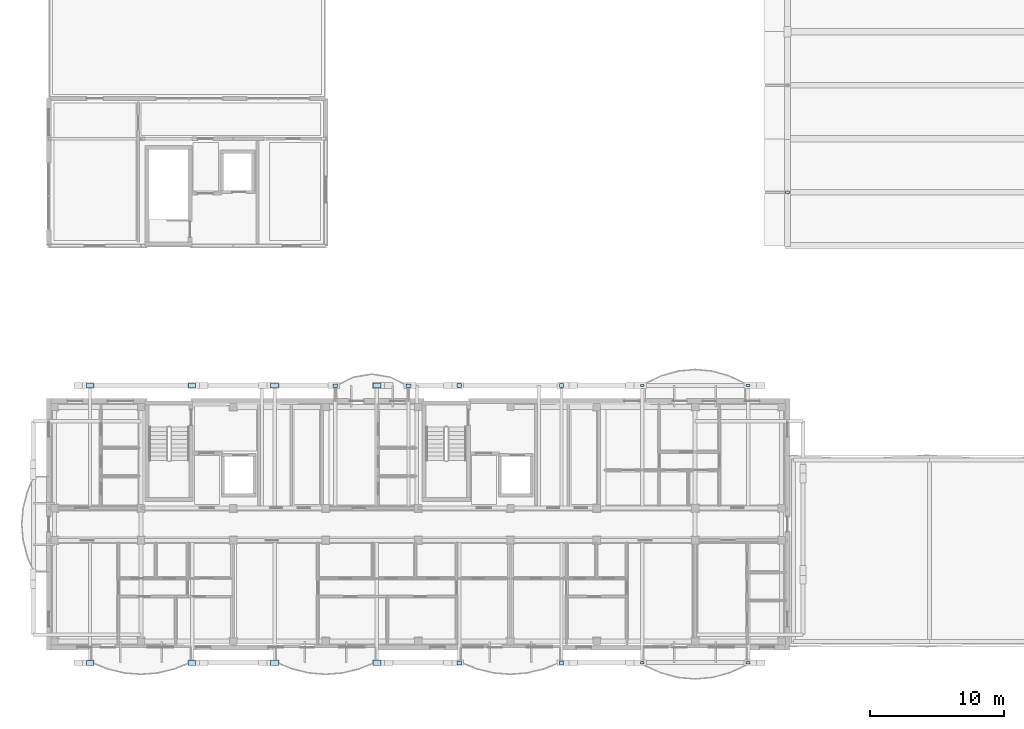
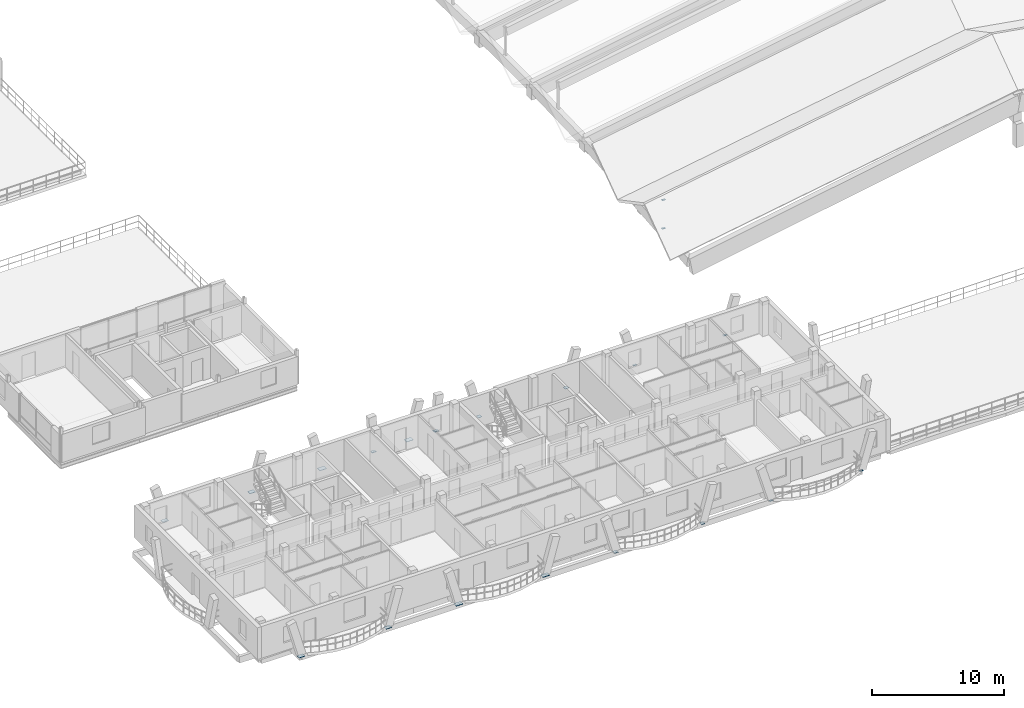
# One storey, part 56 of 109: 20 plates.
"""IFC4 building model written with IfcOpenShell, lengths in metres."""

from ifc_helpers import new_model, si_unit, direction, frame, origin, origin_2d, place, context, subcontext, project, spatial, rectangle, extrude, material, layer, layer_set, type_object, element, save


model = new_model("IFC4")

# Units and contexts
model_context = context("Model", 3, precision=1e-05, world=origin(), true_north=direction((0.0, 1.0)))
body_context = subcontext(model_context, "Body", "Model", "MODEL_VIEW")
ifc_project = project(units=[si_unit("LENGTHUNIT", "METRE"), si_unit("AREAUNIT", "SQUARE_METRE"), si_unit("VOLUMEUNIT", "CUBIC_METRE"), si_unit("PLANEANGLEUNIT", "RADIAN"), si_unit("MASSUNIT", "GRAM", prefix="KILO")], contexts=[model_context])

# Site, building, storey
site_placement = place(None, origin())
site = spatial("IfcSite", under=ifc_project, at=site_placement, CompositionType="ELEMENT")
building_placement = place(site_placement, origin())
building = spatial("IfcBuilding", under=site, at=building_placement, Name="Zavelmont Quarter", CompositionType="ELEMENT")
storey_placement = place(building_placement, frame((0.0, 0.0, 8.0)))
storey = spatial("IfcBuildingStorey", under=building, at=storey_placement, Name="L02", CompositionType="ELEMENT", Elevation=8.0)

# Plates
ifc_material = material(Name="Steel S355", Category="steel")
ifc_layer_1 = layer(ifc_material, 0.02001953125)
ifc_layer_set_1 = layer_set([ifc_layer_1], Name="Steel S355")
plate_type_1 = type_object("IfcPlateType", Name="NP01", PredefinedType="SHEET", material=ifc_layer_set_1)
for number, where, z_axis, x_axis, name in (
    (1, (44.341552734375, -1.162109375, -0.2099609375), (0.0, 0.0, 1.0), (1.0, 0.0, 0.0), "L02 steel connection plate NP01 at 7/A"),
    (2, (52.258544921875, -1.162109375, -0.2099609375), (0.0, 0.0, 1.0), (1.0, 0.0, 0.0), "L02 steel connection plate NP01 at 9/A"),
    (3, (44.341552734375, 19.56201171875, -0.2099609375), (0.0, 0.0, 1.0), (1.0, 0.0, 0.0), "L02 steel connection plate NP01 at 7/D"),
    (4, (52.258544921875, 19.56201171875, -0.2099609375), (0.0, 0.0, 1.0), (1.0, 0.0, 0.0), "L02 steel connection plate NP01 at 9/D"),
    (5, (55.199951171875, 34.0, -0.080078125), (0.0, 0.0, 1.0), (1.0, 0.0, 0.0), "L02 steel connection plate NP01 at 9/F"),
    (6, (55.199951171875, 34.0, 2.570068359375), (0.0, 0.0, 1.0), (1.0, 0.0, 0.0), "L02 steel connection plate NP01 at 9/F"),
):
    element("IfcPlate", number, at=place(storey_placement, frame(where, z_axis=z_axis, x_axis=x_axis)), inside=storey, type_object=plate_type_1, Name=name, PredefinedType="SHEET", context=body_context, shape_type="SweptSolid", body=[
        extrude(rectangle(XDim=0.280029296875, YDim=0.179931640625, at=origin_2d()), origin(), (0.0, 0.0, 1.0), 0.02001953125),
    ])
ifc_layer_2 = layer(ifc_material, 0.02392578125)
ifc_layer_set_2 = layer_set([ifc_layer_2], Name="Steel S355")
plate_type_2 = type_object("IfcPlateType", Name="NP02", PredefinedType="SHEET", material=ifc_layer_set_2)
for number, where, z_axis, x_axis, name in (
    (7, (21.4111328125, 19.56201171875, -0.2119140625), (0.0, 0.0, 1.0), (1.0, 0.0, 0.0), "L02 steel connection plate NP02 at 4/D"),
    (8, (26.888916015625, 19.56201171875, -0.2119140625), (0.0, 0.0, 1.0), (1.0, 0.0, 0.0), "L02 steel connection plate NP02 at 5/D"),
):
    element("IfcPlate", number, at=place(storey_placement, frame(where, z_axis=z_axis, x_axis=x_axis)), inside=storey, type_object=plate_type_2, Name=name, PredefinedType="SHEET", context=body_context, shape_type="SweptSolid", body=[
        extrude(rectangle(XDim=0.360107421875, YDim=0.260009765625, at=origin_2d()), origin(), (0.0, 0.0, 1.0), 0.02392578125),
    ])
ifc_layer_3 = layer(ifc_material, 0.028076171875)
ifc_layer_set_3 = layer_set([ifc_layer_3], Name="Steel S355")
plate_type_3 = type_object("IfcPlateType", Name="NP04", PredefinedType="SHEET", material=ifc_layer_set_3)
for number, where, z_axis, x_axis, name in (
    (9, (3.085693359375, -1.162109375, -0.2138671875), (0.0, 0.0, 1.0), (1.0, 0.0, 0.0), "L02 steel connection plate NP04 at 1/A"),
    (10, (10.714111328125, -1.162109375, -0.2138671875), (0.0, 0.0, 1.0), (1.0, 0.0, 0.0), "L02 steel connection plate NP04 at 3/A"),
    (11, (3.085693359375, 19.56201171875, -0.2138671875), (0.0, 0.0, 1.0), (1.0, 0.0, 0.0), "L02 steel connection plate NP04 at 1/D"),
    (12, (10.714111328125, 19.56201171875, -0.2138671875), (0.0, 0.0, 1.0), (1.0, 0.0, 0.0), "L02 steel connection plate NP04 at 3/D"),
):
    element("IfcPlate", number, at=place(storey_placement, frame(where, z_axis=z_axis, x_axis=x_axis)), inside=storey, type_object=plate_type_3, Name=name, PredefinedType="SHEET", context=body_context, shape_type="SweptSolid", body=[
        extrude(rectangle(XDim=0.52001953125, YDim=0.360107421875, at=origin_2d()), origin(), (0.0, 0.0, 1.0), 0.028076171875),
    ])
ifc_layer_4 = layer(ifc_material, 0.030029296875)
ifc_layer_set_4 = layer_set([ifc_layer_4], Name="Steel S355")
plate_type_4 = type_object("IfcPlateType", Name="NP05", PredefinedType="SHEET", material=ifc_layer_set_4)
for number, where, z_axis, x_axis, name in (
    (13, (16.8857421875, -1.162109375, -0.21484375), (0.0, 0.0, 1.0), (1.0, 0.0, 0.0), "L02 steel connection plate NP05 at 3/A"),
    (14, (24.51416015625, -1.162109375, -0.21484375), (0.0, 0.0, 1.0), (1.0, 0.0, 0.0), "L02 steel connection plate NP05 at 5/A"),
    (15, (16.8857421875, 19.56201171875, -0.21484375), (0.0, 0.0, 1.0), (1.0, 0.0, 0.0), "L02 steel connection plate NP05 at 3/D"),
    (16, (24.51416015625, 19.56201171875, -0.21484375), (0.0, 0.0, 1.0), (1.0, 0.0, 0.0), "L02 steel connection plate NP05 at 5/D"),
):
    element("IfcPlate", number, at=place(storey_placement, frame(where, z_axis=z_axis, x_axis=x_axis)), inside=storey, type_object=plate_type_4, Name=name, PredefinedType="SHEET", context=body_context, shape_type="SweptSolid", body=[
        extrude(rectangle(XDim=0.60009765625, YDim=0.39990234375, at=origin_2d()), origin(), (0.0, 0.0, 1.0), 0.030029296875),
    ])
ifc_layer_5 = layer(ifc_material, 0.02197265625)
ifc_layer_set_5 = layer_set([ifc_layer_5], Name="Steel S355")
plate_type_5 = type_object("IfcPlateType", Name="NP06", PredefinedType="SHEET", material=ifc_layer_set_5)
for number, where, z_axis, x_axis, name in (
    (17, (30.685791015625, -1.162109375, -0.2109375), (0.0, 0.0, 1.0), (1.0, 0.0, 0.0), "L02 steel connection plate NP06 at 5/A"),
    (18, (38.314208984375, -1.162109375, -0.2109375), (0.0, 0.0, 1.0), (1.0, 0.0, 0.0), "L02 steel connection plate NP06 at 7/A"),
    (19, (30.685791015625, 19.56201171875, -0.2109375), (0.0, 0.0, 1.0), (1.0, 0.0, 0.0), "L02 steel connection plate NP06 at 5/D"),
    (20, (38.314208984375, 19.56201171875, -0.2109375), (0.0, 0.0, 1.0), (1.0, 0.0, 0.0), "L02 steel connection plate NP06 at 7/D"),
):
    element("IfcPlate", number, at=place(storey_placement, frame(where, z_axis=z_axis, x_axis=x_axis)), inside=storey, type_object=plate_type_5, Name=name, PredefinedType="SHEET", context=body_context, shape_type="SweptSolid", body=[
        extrude(rectangle(XDim=0.320068359375, YDim=0.320068359375, at=origin_2d()), origin(), (0.0, 0.0, 1.0), 0.02197265625),
    ])

save(model, "model.ifc")
